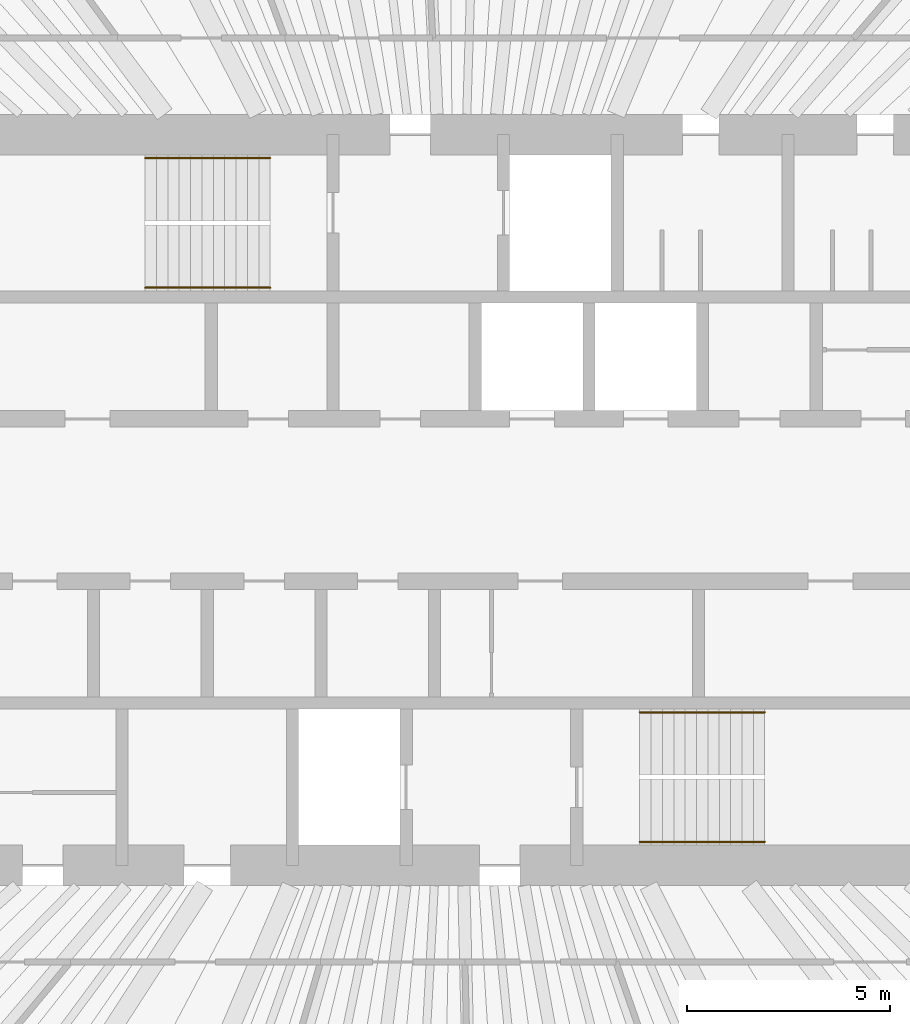
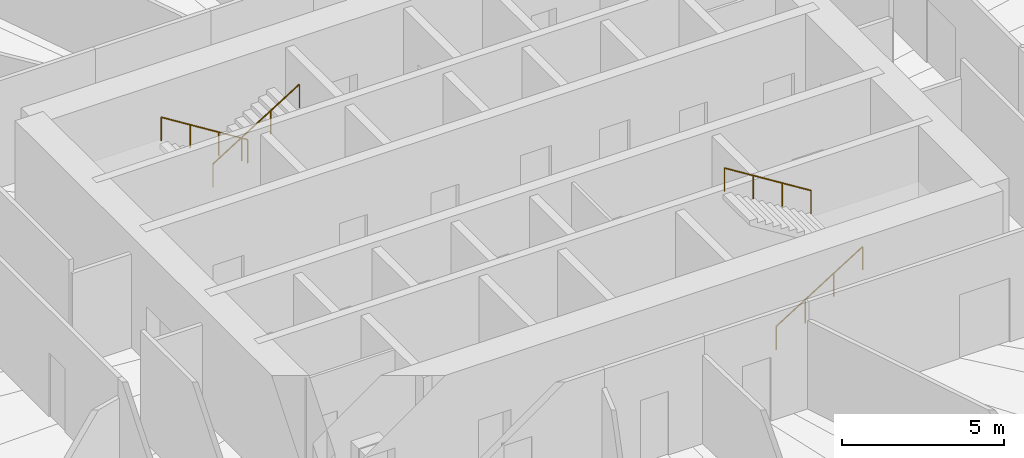
# One storey, part 14 of 14: 4 railings.
"""IFC4 building model written with IfcOpenShell, lengths in metres."""

from ifc_helpers import new_model, si_unit, direction, frame, origin, origin_2d, place, context, subcontext, project, spatial, circle, extrude, material, type_object, element, save


model = new_model("IFC4")

# Units and contexts
model_context = context("Model", 3, precision=1e-05, world=origin(), true_north=direction((0.0, 1.0)))
body_context = subcontext(model_context, "Body", "Model", "MODEL_VIEW")
ifc_project = project(units=[si_unit("LENGTHUNIT", "METRE"), si_unit("AREAUNIT", "SQUARE_METRE"), si_unit("VOLUMEUNIT", "CUBIC_METRE"), si_unit("PLANEANGLEUNIT", "RADIAN"), si_unit("MASSUNIT", "GRAM", prefix="KILO")], contexts=[model_context])

# Site, building, storey
site_placement = place(None, origin())
site = spatial("IfcSite", under=ifc_project, at=site_placement, CompositionType="ELEMENT")
building_placement = place(site_placement, origin())
building = spatial("IfcBuilding", under=site, at=building_placement, Name="Qingtian Harvest Tower", CompositionType="ELEMENT")
storey_placement = place(building_placement, frame((0.0, 0.0, 274.60009765625)))
storey = spatial("IfcBuildingStorey", under=building, at=storey_placement, Name="L60", CompositionType="ELEMENT", Elevation=274.60009765625)

# Railings
ifc_material = material(Name="Stainless steel handrail", Category="steel")
railing_type = type_object("IfcRailingType", Name="Handrail HR1", PredefinedType="HANDRAIL", material=ifc_material)
railing_1_placement = place(storey_placement, frame((-4.550048828125, 8.419921875, 0.1748046875)))
element("IfcRailing", 1, at=railing_1_placement, inside=storey, type_object=railing_type, Name="Handrail HR1 S1 flight 1", PredefinedType="HANDRAIL", context=body_context, shape_type="SweptSolid", body=[
    extrude(circle(Radius=0.02392578125, at=origin_2d()), frame((0.0, 0.0, 0.8759765625), z_axis=(-0.847979421464, 0.0, 0.530029150871), x_axis=(0.0, -1.0, 0.0)), (0.0, 0.0, 1.0), 3.632080078125),
    extrude(circle(Radius=0.02099609375, at=origin_2d()), origin(), (0.0, 0.0, 1.0), 0.851806640625),
    extrude(circle(Radius=0.02099609375, at=origin_2d()), frame((-1.026611328125, 0.0, 0.6416015625)), (0.0, 0.0, 1.0), 0.851806640625),
    extrude(circle(Radius=0.02099609375, at=origin_2d()), frame((-2.05322265625, 0.0, 1.283447265625)), (0.0, 0.0, 1.0), 0.851806640625),
    extrude(circle(Radius=0.02099609375, at=origin_2d()), frame((-3.079833984375, 0.0, 1.925048828125)), (0.0, 0.0, 1.0), 0.851806640625),
])
for number, where, name in (
    (2, (-7.6298828125, 5.22998046875, 2.27490234375), "Handrail HR1 S1 flight 2"),
    (3, (4.550048828125, -8.419921875, 0.1748046875), "Handrail HR1 S2 flight 1"),
):
    element("IfcRailing", number, at=place(storey_placement, frame(where)), inside=storey, type_object=railing_type, Name=name, PredefinedType="HANDRAIL", context=body_context, shape_type="SweptSolid", body=[
        extrude(circle(Radius=0.02392578125, at=origin_2d()), frame((0.0, 0.0, 0.8759765625), z_axis=(0.847979421464, 0.0, 0.530029150871), x_axis=(0.0, 1.0, 0.0)), (0.0, 0.0, 1.0), 3.632080078125),
        extrude(circle(Radius=0.02099609375, at=origin_2d()), origin(), (0.0, 0.0, 1.0), 0.851806640625),
        extrude(circle(Radius=0.02099609375, at=origin_2d()), frame((1.026611328125, 0.0, 0.6416015625)), (0.0, 0.0, 1.0), 0.851806640625),
        extrude(circle(Radius=0.02099609375, at=origin_2d()), frame((2.05322265625, 0.0, 1.283447265625)), (0.0, 0.0, 1.0), 0.851806640625),
        extrude(circle(Radius=0.02099609375, at=origin_2d()), frame((3.079833984375, 0.0, 1.925048828125)), (0.0, 0.0, 1.0), 0.851806640625),
    ])
railing_2_placement = place(storey_placement, frame((7.6298828125, -5.22998046875, 2.27490234375)))
element("IfcRailing", 4, at=railing_2_placement, inside=storey, type_object=railing_type, Name="Handrail HR1 S2 flight 2", PredefinedType="HANDRAIL", context=body_context, shape_type="SweptSolid", body=[
    extrude(circle(Radius=0.02392578125, at=origin_2d()), frame((0.0, 0.0, 0.8759765625), z_axis=(-0.847979421464, 0.0, 0.530029150871), x_axis=(0.0, -1.0, 0.0)), (0.0, 0.0, 1.0), 3.632080078125),
    extrude(circle(Radius=0.02099609375, at=origin_2d()), origin(), (0.0, 0.0, 1.0), 0.851806640625),
    extrude(circle(Radius=0.02099609375, at=origin_2d()), frame((-1.026611328125, 0.0, 0.6416015625)), (0.0, 0.0, 1.0), 0.851806640625),
    extrude(circle(Radius=0.02099609375, at=origin_2d()), frame((-2.05322265625, 0.0, 1.283447265625)), (0.0, 0.0, 1.0), 0.851806640625),
    extrude(circle(Radius=0.02099609375, at=origin_2d()), frame((-3.079833984375, 0.0, 1.925048828125)), (0.0, 0.0, 1.0), 0.851806640625),
])

save(model, "model.ifc")
